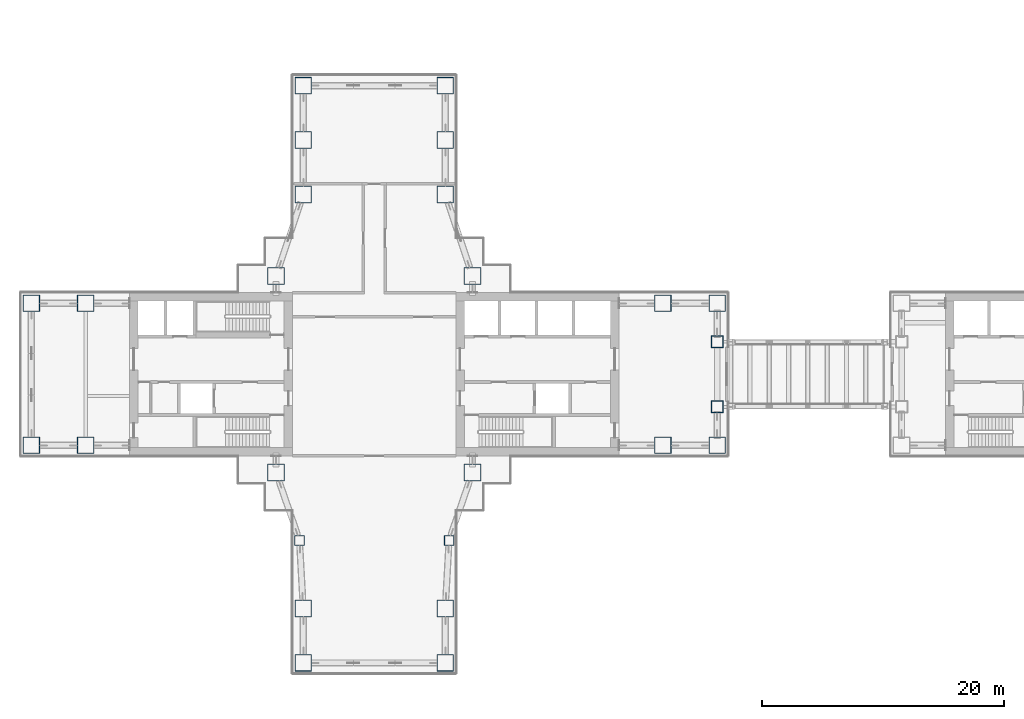
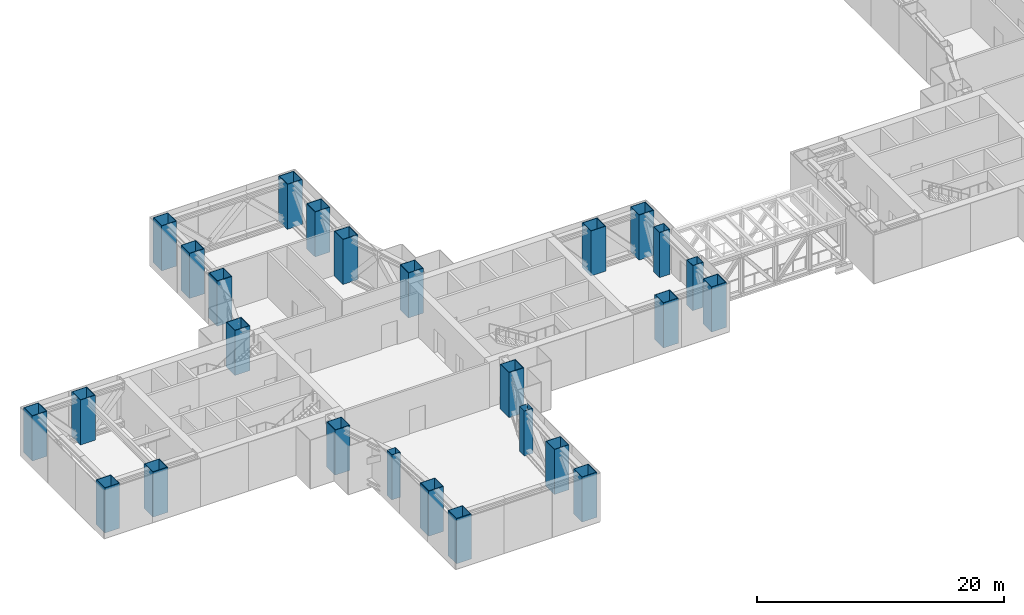
# One storey, part 1 of 23: 26 columns.
"""IFC4 building model written with IfcOpenShell, lengths in metres."""

from ifc_helpers import new_model, si_unit, direction, frame, origin, origin_2d, place, context, subcontext, project, spatial, hollow_rectangle, extrude, material, material_profile, profile_set, type_object, element, save


model = new_model("IFC4")

# Units and contexts
model_context = context("Model", 3, precision=1e-05, world=origin(), true_north=direction((0.0, 1.0)))
body_context = subcontext(model_context, "Body", "Model", "MODEL_VIEW")
ifc_project = project(units=[si_unit("LENGTHUNIT", "METRE"), si_unit("AREAUNIT", "SQUARE_METRE"), si_unit("VOLUMEUNIT", "CUBIC_METRE"), si_unit("PLANEANGLEUNIT", "RADIAN"), si_unit("MASSUNIT", "GRAM", prefix="KILO")], contexts=[model_context])

# Site, building, storey
site_placement = place(None, origin())
site = spatial("IfcSite", under=ifc_project, at=site_placement, CompositionType="ELEMENT")
building_placement = place(site_placement, origin())
building = spatial("IfcBuilding", under=site, at=building_placement, Name="Shamsa Quay Exchange Towers", CompositionType="ELEMENT")
storey_placement = place(building_placement, frame((0.0, 0.0, 77.10009765625)))
storey = spatial("IfcBuildingStorey", under=building, at=storey_placement, Name="L17", CompositionType="ELEMENT", Elevation=77.10009765625)

# Columns
ifc_material_1 = material(Name="Concrete-filled steel tube S355 / C80/95", Category="concrete")
ifc_material_profile_1 = material_profile(ifc_material_1, hollow_rectangle(XDim=1.39990234375, YDim=1.39990234375, WallThickness=0.050048828125, at=origin_2d()), Name="CFT 1400x1400x50")
ifc_profile_set_1 = profile_set([ifc_material_profile_1], Name="Concrete-filled steel tube S355 / C80/95")
column_type_1 = type_object("IfcColumnType", Name="Column CFT 1400x1400x50", PredefinedType="COLUMN", material=ifc_profile_set_1)
for number, where, name in (
    (1, (-25.625, 8.125, 0.0), "Mega column T1-CM01"),
    (2, (-25.625, -8.125, 0.0), "Mega column T1-CM02"),
    (3, (-41.875, 8.125, 0.0), "Mega column T1-CM03"),
    (4, (-41.875, -8.125, 0.0), "Mega column T1-CM04"),
    (5, (-9.875, -5.875, 0.0), "Mega column T1-CM05"),
    (6, (-5.375, -5.875, 0.0), "Mega column T1-CM06"),
    (7, (-9.875, 5.875, 0.0), "Mega column T1-CM07"),
    (8, (-5.375, 5.875, 0.0), "Mega column T1-CM08"),
    (9, (-57.625, -5.875, 0.0), "Mega column T1-CM09"),
    (10, (-62.125, -5.875, 0.0), "Mega column T1-CM10"),
    (11, (-57.625, 5.875, 0.0), "Mega column T1-CM11"),
    (12, (-62.125, 5.875, 0.0), "Mega column T1-CM12"),
    (13, (-39.625, 14.875, 0.0), "Mega column T1-CM13"),
    (14, (-39.625, 19.375, 0.0), "Mega column T1-CM14"),
    (15, (-39.625, 23.875, 0.0), "Mega column T1-CM15"),
    (16, (-27.875, 14.875, 0.0), "Mega column T1-CM16"),
    (17, (-27.875, 19.375, 0.0), "Mega column T1-CM17"),
    (18, (-27.875, 23.875, 0.0), "Mega column T1-CM18"),
    (19, (-39.625, -19.375, 0.0), "Mega column T1-CM20"),
    (20, (-39.625, -23.875, 0.0), "Mega column T1-CM21"),
    (21, (-27.875, -19.375, 0.0), "Mega column T1-CM23"),
    (22, (-27.875, -23.875, 0.0), "Mega column T1-CM24"),
):
    element("IfcColumn", number, at=place(storey_placement, frame(where)), inside=storey, type_object=column_type_1, Name=name, PredefinedType="COLUMN", context=body_context, shape_type="SweptSolid", body=[
        extrude(hollow_rectangle(XDim=1.39990234375, YDim=1.39990234375, WallThickness=0.050048828125, at=origin_2d()), origin(), (0.0, 0.0, 1.0), 4.449951171875),
    ])
ifc_material_2 = material(Name="Concrete-filled steel tube S355 / C60/75", Category="concrete")
ifc_material_profile_2 = material_profile(ifc_material_2, hollow_rectangle(XDim=0.800048828125, YDim=0.800048828125, WallThickness=0.02490234375, at=origin_2d()), Name="CFT 800x800x25")
ifc_profile_set_2 = profile_set([ifc_material_profile_2], Name="Concrete-filled steel tube S355 / C60/75")
column_type_2 = type_object("IfcColumnType", Name="Column CFT 800x800x25", PredefinedType="COLUMN", material=ifc_profile_set_2)
for number, where, name in (
    (23, (-39.9375, -13.75, 0.0), "Perimeter column T1-CP19"),
    (24, (-27.5625, -13.75, 0.0), "Perimeter column T1-CP22"),
):
    element("IfcColumn", number, at=place(storey_placement, frame(where)), inside=storey, type_object=column_type_2, Name=name, PredefinedType="COLUMN", context=body_context, shape_type="SweptSolid", body=[
        extrude(hollow_rectangle(XDim=0.800048828125, YDim=0.800048828125, WallThickness=0.02490234375, at=origin_2d()), origin(), (0.0, 0.0, 1.0), 4.449951171875),
    ])
ifc_material_3 = material(Name="Concrete-filled steel tube S355 / C70/85", Category="concrete")
ifc_material_profile_3 = material_profile(ifc_material_3, hollow_rectangle(XDim=1.0, YDim=1.0, WallThickness=0.0400390625, at=origin_2d()), Name="CFT 1000x1000x40")
ifc_profile_set_3 = profile_set([ifc_material_profile_3], Name="Concrete-filled steel tube S355 / C70/85")
column_type_3 = type_object("IfcColumnType", Name="Landing column CFT 1000x1000x40", PredefinedType="COLUMN", material=ifc_profile_set_3)
for number, where, name in (
    (25, (-5.375, -2.699951171875, 0.0), "Landing column T1 S"),
    (26, (-5.375, 2.699951171875, 0.0), "Landing column T1 N"),
):
    element("IfcColumn", number, at=place(storey_placement, frame(where)), inside=storey, type_object=column_type_3, Name=name, PredefinedType="COLUMN", context=body_context, shape_type="SweptSolid", body=[
        extrude(hollow_rectangle(XDim=1.0, YDim=1.0, WallThickness=0.0400390625, at=origin_2d()), origin(), (0.0, 0.0, 1.0), 4.449951171875),
    ])

save(model, "model.ifc")
